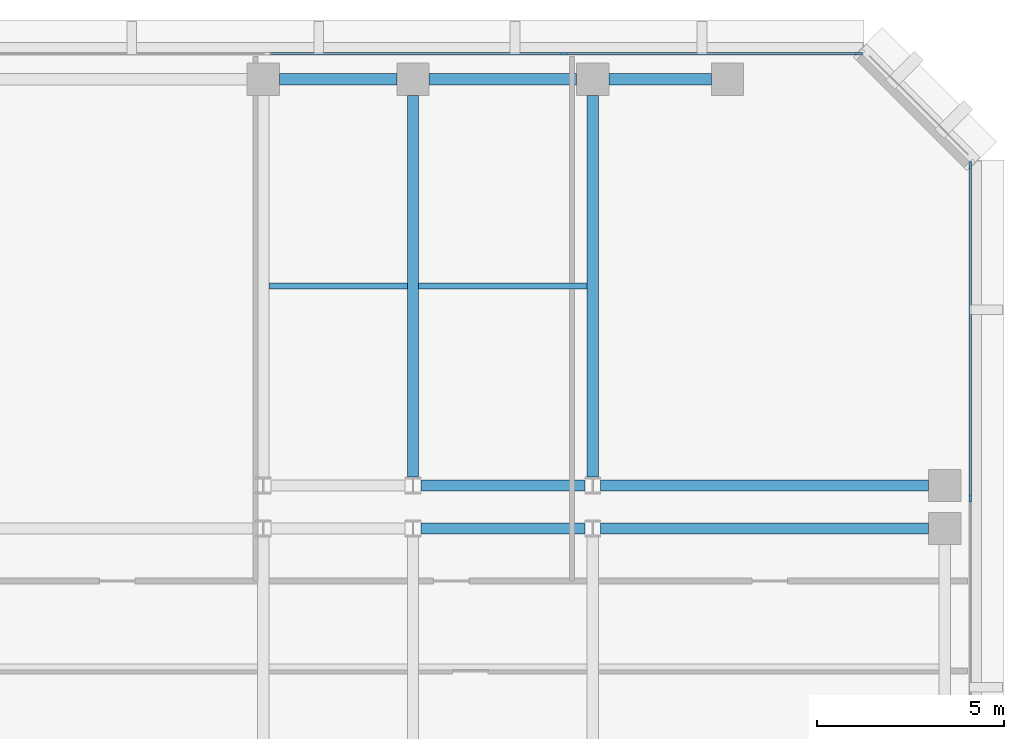
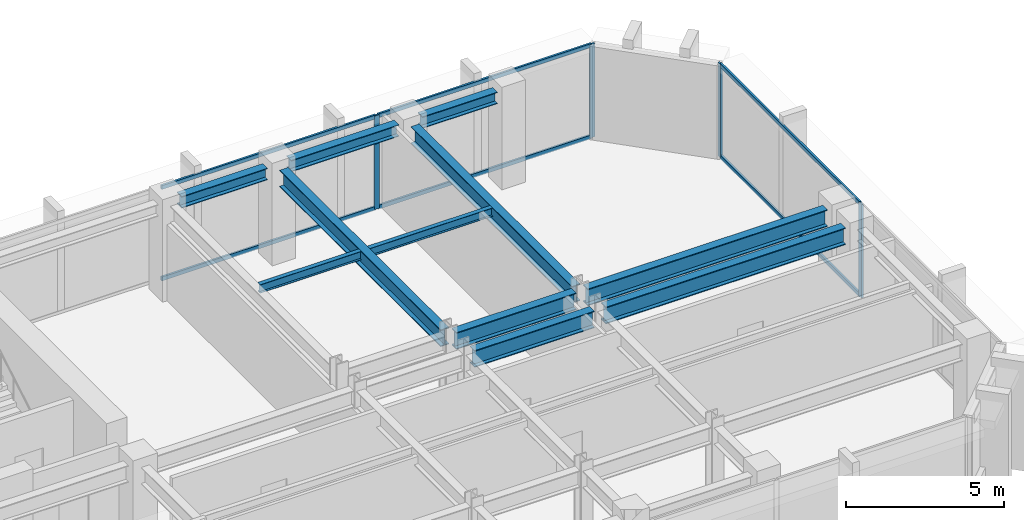
# One storey, part 5 of 11: 11 beams, 10 members, 2 elements without a shape of their own.
"""IFC4 building model written with IfcOpenShell, lengths in metres."""

from ifc_helpers import new_model, si_unit, direction, frame, origin, origin_2d, place, context, subcontext, project, spatial, rectangle, i_section, extrude, material, layer, layer_set, material_profile, profile_set, type_object, element, aggregate, save


model = new_model("IFC4")

# Units and contexts
model_context = context("Model", 3, precision=1e-05, world=origin(), true_north=direction((0.0, 1.0)))
body_context = subcontext(model_context, "Body", "Model", "MODEL_VIEW")
ifc_project = project(units=[si_unit("LENGTHUNIT", "METRE"), si_unit("AREAUNIT", "SQUARE_METRE"), si_unit("VOLUMEUNIT", "CUBIC_METRE"), si_unit("PLANEANGLEUNIT", "RADIAN"), si_unit("MASSUNIT", "GRAM", prefix="KILO")], contexts=[model_context])

# Site, building, storey
site_placement = place(None, origin())
site = spatial("IfcSite", under=ifc_project, at=site_placement, CompositionType="ELEMENT")
building_placement = place(site_placement, origin())
building = spatial("IfcBuilding", under=site, at=building_placement, Name="Kefirva Bronze Tower", CompositionType="ELEMENT")
storey_placement = place(building_placement, frame((0.0, 0.0, 170.610107421875)))
storey = spatial("IfcBuildingStorey", under=building, at=storey_placement, Name="L41", CompositionType="ELEMENT", Elevation=170.610107421875)

# Curtain wall, members
ifc_material_1 = material(Name="Bronze anodised aluminium", Category="aluminium")
ifc_layer = layer(ifc_material_1, 0.199951171875, Name="Bronze anodised aluminium")
ifc_layer_set = layer_set([ifc_layer], Name="Bronze anodised aluminium")
curtain_wall_type = type_object("IfcCurtainWallType", Name="Unitised Bronze Ribbon Curtain Wall Zone 2", PredefinedType="USERDEFINED", material=ifc_layer_set)
curtain_wall_1_placement = place(storey_placement, origin())
curtain_wall_1 = element("IfcCurtainWall", 1, at=curtain_wall_1_placement, inside=storey, type_object=curtain_wall_type, Name="L41 Curtain Wall 4", ObjectType="UNITISED CURTAIN WALL", PredefinedType="USERDEFINED")
ifc_material_profile_1 = material_profile(ifc_material_1, rectangle(XDim=0.074951171875, YDim=0.179931640625, at=origin_2d()), Name="ALU 75x180")
ifc_profile_set_1 = profile_set([ifc_material_profile_1], Name="Bronze anodised aluminium")
member_type_1 = type_object("IfcMemberType", Name="Bronze Mullion 75x180", PredefinedType="MULLION", material=ifc_profile_set_1)
member_1_placement = place(storey_placement, frame((50.080078125, 34.0, 0.0), z_axis=(0.0, 0.0, 1.0), x_axis=(-1.0, 0.0, 0.0)))
member_1 = element("IfcMember", 2, at=member_1_placement, type_object=member_type_1, Name="CW-02 mullion 2", PredefinedType="MULLION", context=body_context, shape_type="SweptSolid", body=[
    extrude(rectangle(XDim=0.074951171875, YDim=0.179931640625, at=origin_2d()), origin(), (0.0, 0.0, 1.0), 3.60986328125),
])
member_2_placement = place(storey_placement, frame((50.080078125, 42.907470703125, 0.0), z_axis=(0.0, 0.0, 1.0), x_axis=(-1.0, 0.0, 0.0)))
member_2 = element("IfcMember", 3, at=member_2_placement, type_object=member_type_1, Name="CW-02 mullion 3", PredefinedType="MULLION", context=body_context, shape_type="SweptSolid", body=[
    extrude(rectangle(XDim=0.074951171875, YDim=0.179931640625, at=origin_2d()), origin(), (0.0, 0.0, 1.0), 3.60986328125),
])

curtain_wall_2_placement = place(storey_placement, origin())
curtain_wall_2 = element("IfcCurtainWall", 4, at=curtain_wall_2_placement, inside=storey, type_object=curtain_wall_type, Name="L41 Curtain Wall 5", ObjectType="UNITISED CURTAIN WALL", PredefinedType="USERDEFINED")
member_3_placement = place(storey_placement, frame((47.107421875, 45.8798828125, 0.0), z_axis=(0.0, 0.0, 1.0), x_axis=(0.0, -1.0, 0.0)))
member_3 = element("IfcMember", 5, at=member_3_placement, type_object=member_type_1, Name="CW-02 mullion 1", PredefinedType="MULLION", context=body_context, shape_type="SweptSolid", body=[
    extrude(rectangle(XDim=0.074951171875, YDim=0.179931640625, at=origin_2d()), origin(), (0.0, 0.0, 1.0), 3.60986328125),
])
member_4_placement = place(storey_placement, frame((39.231689453125, 45.8798828125, 0.0), z_axis=(0.0, 0.0, 1.0), x_axis=(0.0, -1.0, 0.0)))
member_4 = element("IfcMember", 6, at=member_4_placement, type_object=member_type_1, Name="CW-02 mullion 2", PredefinedType="MULLION", context=body_context, shape_type="SweptSolid", body=[
    extrude(rectangle(XDim=0.074951171875, YDim=0.179931640625, at=origin_2d()), origin(), (0.0, 0.0, 1.0), 3.60986328125),
])

# Member
ifc_material_profile_2 = material_profile(ifc_material_1, rectangle(XDim=0.074951171875, YDim=0.14990234375, at=origin_2d()), Name="ALU 75x150")
ifc_profile_set_2 = profile_set([ifc_material_profile_2], Name="Bronze anodised aluminium")
member_type_2 = type_object("IfcMemberType", Name="Bronze Transom 75x150", PredefinedType="USERDEFINED", material=ifc_profile_set_2)
member_5_placement = place(storey_placement, frame((50.080078125, 34.03759765625, 0.037353515625), z_axis=(0.0, 1.0, 0.0), x_axis=(-1.0, 0.0, 0.0)))
member_5 = element("IfcMember", 7, at=member_5_placement, type_object=member_type_2, Name="CW-02 transom 2.1", ObjectType="TRANSOM", PredefinedType="USERDEFINED", context=body_context, shape_type="SweptSolid", body=[
    extrude(rectangle(XDim=0.074951171875, YDim=0.14990234375, at=origin_2d()), origin(), (0.0, 0.0, 1.0), 8.83251953125),
])

member_6_placement = place(storey_placement, frame((50.080078125, 34.03759765625, 3.572509765625), z_axis=(0.0, 1.0, 0.0), x_axis=(-1.0, 0.0, 0.0)))
member_6 = element("IfcMember", 8, at=member_6_placement, type_object=member_type_2, Name="CW-02 transom 2.2", ObjectType="TRANSOM", PredefinedType="USERDEFINED", context=body_context, shape_type="SweptSolid", body=[
    extrude(rectangle(XDim=0.074951171875, YDim=0.14990234375, at=origin_2d()), origin(), (0.0, 0.0, 1.0), 8.83251953125),
])

aggregate(curtain_wall_1, [member_1, member_2, member_5, member_6])

member_7_placement = place(storey_placement, frame((47.070068359375, 45.8798828125, 0.037353515625), z_axis=(-1.0, 0.0, 0.0), x_axis=(0.0, -1.0, 0.0)))
member_7 = element("IfcMember", 9, at=member_7_placement, type_object=member_type_2, Name="CW-02 transom 1.1", ObjectType="TRANSOM", PredefinedType="USERDEFINED", context=body_context, shape_type="SweptSolid", body=[
    extrude(rectangle(XDim=0.074951171875, YDim=0.14990234375, at=origin_2d()), origin(), (0.0, 0.0, 1.0), 7.80078125),
])

member_8_placement = place(storey_placement, frame((47.070068359375, 45.8798828125, 3.572509765625), z_axis=(-1.0, 0.0, 0.0), x_axis=(0.0, -1.0, 0.0)))
member_8 = element("IfcMember", 10, at=member_8_placement, type_object=member_type_2, Name="CW-02 transom 1.2", ObjectType="TRANSOM", PredefinedType="USERDEFINED", context=body_context, shape_type="SweptSolid", body=[
    extrude(rectangle(XDim=0.074951171875, YDim=0.14990234375, at=origin_2d()), origin(), (0.0, 0.0, 1.0), 7.80078125),
])

member_9_placement = place(storey_placement, frame((39.194091796875, 45.8798828125, 0.037353515625), z_axis=(-1.0, 0.0, 0.0), x_axis=(0.0, -1.0, 0.0)))
member_9 = element("IfcMember", 11, at=member_9_placement, type_object=member_type_2, Name="CW-02 transom 2.1", ObjectType="TRANSOM", PredefinedType="USERDEFINED", context=body_context, shape_type="SweptSolid", body=[
    extrude(rectangle(XDim=0.074951171875, YDim=0.14990234375, at=origin_2d()), origin(), (0.0, 0.0, 1.0), 7.83837890625),
])

member_10_placement = place(storey_placement, frame((39.194091796875, 45.8798828125, 3.572509765625), z_axis=(-1.0, 0.0, 0.0), x_axis=(0.0, -1.0, 0.0)))
member_10 = element("IfcMember", 12, at=member_10_placement, type_object=member_type_2, Name="CW-02 transom 2.2", ObjectType="TRANSOM", PredefinedType="USERDEFINED", context=body_context, shape_type="SweptSolid", body=[
    extrude(rectangle(XDim=0.074951171875, YDim=0.14990234375, at=origin_2d()), origin(), (0.0, 0.0, 1.0), 7.83837890625),
])

aggregate(curtain_wall_2, [member_3, member_4, member_7, member_8, member_9, member_10])

# Beams
ifc_material_2 = material(Name="Steel S355", Category="steel")
ifc_material_profile_3 = material_profile(ifc_material_2, i_section(OverallWidth=0.159912109375, OverallDepth=0.330078125, WebThickness=0.007568359375, FlangeThickness=0.011474609375, at=origin_2d()), Name="IPE 330")
ifc_profile_set_3 = profile_set([ifc_material_profile_3], Name="Steel S355")
beam_type_1 = type_object("IfcBeamType", Name="Steel Floor Joist IPE 330", PredefinedType="JOIST", material=ifc_profile_set_3)
beam_1_placement = place(storey_placement, frame((31.35009765625, 39.673583984375, 3.44482421875), z_axis=(1.0, 0.0, 0.0), x_axis=(0.0, 1.0, 0.0)))
element("IfcBeam", 13, at=beam_1_placement, inside=storey, type_object=beam_type_1, Name="L41 JST-L41-31-396", PredefinedType="JOIST", context=body_context, shape_type="SweptSolid", body=[
    extrude(i_section(OverallWidth=0.159912109375, OverallDepth=0.330078125, WebThickness=0.007568359375, FlangeThickness=0.011474609375, at=origin_2d()), origin(), (0.0, 0.0, 1.0), 3.699951171875),
])
beam_2_placement = place(storey_placement, frame((35.35009765625, 39.673583984375, 3.44482421875), z_axis=(1.0, 0.0, 0.0), x_axis=(0.0, 1.0, 0.0)))
element("IfcBeam", 14, at=beam_2_placement, inside=storey, type_object=beam_type_1, Name="L41 JST-L41-35-396", PredefinedType="JOIST", context=body_context, shape_type="SweptSolid", body=[
    extrude(i_section(OverallWidth=0.159912109375, OverallDepth=0.330078125, WebThickness=0.007568359375, FlangeThickness=0.011474609375, at=origin_2d()), origin(), (0.0, 0.0, 1.0), 4.5),
])
ifc_material_profile_4 = material_profile(ifc_material_2, i_section(OverallWidth=0.300048828125, OverallDepth=0.64990234375, WebThickness=0.01611328125, FlangeThickness=0.031005859375, at=origin_2d()), Name="HEB 650")
ifc_profile_set_4 = profile_set([ifc_material_profile_4], Name="Steel S355")
beam_type_2 = type_object("IfcBeamType", Name="Steel Girder HEB 650", PredefinedType="USERDEFINED", material=ifc_profile_set_4)
beam_3_placement = place(storey_placement, frame((35.408935546875, 33.199951171875, 3.284912109375), z_axis=(1.0, 0.0, 0.0), x_axis=(0.0, 1.0, 0.0)))
element("IfcBeam", 15, at=beam_3_placement, inside=storey, type_object=beam_type_2, Name="L41 BM-L41-EW-35-332", ObjectType="GIRDER", PredefinedType="USERDEFINED", context=body_context, shape_type="SweptSolid", body=[
    extrude(i_section(OverallWidth=0.300048828125, OverallDepth=0.64990234375, WebThickness=0.01611328125, FlangeThickness=0.031005859375, at=origin_2d()), origin(), (0.0, 0.0, 1.0), 4.382080078125),
])
beam_4_placement = place(storey_placement, frame((40.208984375, 33.199951171875, 3.284912109375), z_axis=(1.0, 0.0, 0.0), x_axis=(0.0, 1.0, 0.0)))
element("IfcBeam", 16, at=beam_4_placement, inside=storey, type_object=beam_type_2, Name="L41 BM-L41-EW-40-332", ObjectType="GIRDER", PredefinedType="USERDEFINED", context=body_context, shape_type="SweptSolid", body=[
    extrude(i_section(OverallWidth=0.300048828125, OverallDepth=0.64990234375, WebThickness=0.01611328125, FlangeThickness=0.031005859375, at=origin_2d()), origin(), (0.0, 0.0, 1.0), 8.760986328125),
])
beam_5_placement = place(storey_placement, frame((35.408935546875, 34.35009765625, 3.284912109375), z_axis=(1.0, 0.0, 0.0), x_axis=(0.0, 1.0, 0.0)))
element("IfcBeam", 17, at=beam_5_placement, inside=storey, type_object=beam_type_2, Name="L41 BM-L41-EW-35-344", ObjectType="GIRDER", PredefinedType="USERDEFINED", context=body_context, shape_type="SweptSolid", body=[
    extrude(i_section(OverallWidth=0.300048828125, OverallDepth=0.64990234375, WebThickness=0.01611328125, FlangeThickness=0.031005859375, at=origin_2d()), origin(), (0.0, 0.0, 1.0), 4.382080078125),
])
beam_6_placement = place(storey_placement, frame((40.208984375, 34.35009765625, 3.284912109375), z_axis=(1.0, 0.0, 0.0), x_axis=(0.0, 1.0, 0.0)))
element("IfcBeam", 18, at=beam_6_placement, inside=storey, type_object=beam_type_2, Name="L41 BM-L41-EW-40-344", ObjectType="GIRDER", PredefinedType="USERDEFINED", context=body_context, shape_type="SweptSolid", body=[
    extrude(i_section(OverallWidth=0.300048828125, OverallDepth=0.64990234375, WebThickness=0.01611328125, FlangeThickness=0.031005859375, at=origin_2d()), origin(), (0.0, 0.0, 1.0), 8.760986328125),
])
for number, where, z_axis, x_axis, name in (
    (19, (35.199951171875, 34.577392578125, 3.284912109375), (0.0, 1.0, 0.0), (-1.0, 0.0, 0.0), "L41 BM-L41-NS-352-34"),
    (20, (40.0, 34.577392578125, 3.284912109375), (0.0, 1.0, 0.0), (-1.0, 0.0, 0.0), "L41 BM-L41-NS-400-34"),
):
    element("IfcBeam", number, at=place(storey_placement, frame(where, z_axis=z_axis, x_axis=x_axis)), inside=storey, type_object=beam_type_2, Name=name, ObjectType="GIRDER", PredefinedType="USERDEFINED", context=body_context, shape_type="SweptSolid", body=[
        extrude(i_section(OverallWidth=0.300048828125, OverallDepth=0.64990234375, WebThickness=0.01611328125, FlangeThickness=0.031005859375, at=origin_2d()), origin(), (0.0, 0.0, 1.0), 10.192626953125),
    ])
ifc_material_profile_5 = material_profile(ifc_material_2, i_section(OverallWidth=0.300048828125, OverallDepth=0.449951171875, WebThickness=0.013916015625, FlangeThickness=0.02587890625, at=origin_2d()), Name="HEB 450")
ifc_profile_set_5 = profile_set([ifc_material_profile_5], Name="Steel S355")
beam_type_3 = type_object("IfcBeamType", Name="Steel Spandrel HEB 450 Ext", PredefinedType="SPANDREL", material=ifc_profile_set_5)
beam_7_placement = place(storey_placement, frame((31.6298828125, 45.199951171875, 3.385009765625), z_axis=(1.0, 0.0, 0.0), x_axis=(0.0, 1.0, 0.0)))
element("IfcBeam", 21, at=beam_7_placement, inside=storey, type_object=beam_type_3, Name="L41 BM-L41-EW-31-452", PredefinedType="SPANDREL", context=body_context, shape_type="SweptSolid", body=[
    extrude(i_section(OverallWidth=0.300048828125, OverallDepth=0.449951171875, WebThickness=0.013916015625, FlangeThickness=0.02587890625, at=origin_2d()), origin(), (0.0, 0.0, 1.0), 3.14013671875),
])
beam_8_placement = place(storey_placement, frame((35.6298828125, 45.199951171875, 3.385009765625), z_axis=(1.0, 0.0, 0.0), x_axis=(0.0, 1.0, 0.0)))
element("IfcBeam", 22, at=beam_8_placement, inside=storey, type_object=beam_type_3, Name="L41 BM-L41-EW-35-452", PredefinedType="SPANDREL", context=body_context, shape_type="SweptSolid", body=[
    extrude(i_section(OverallWidth=0.300048828125, OverallDepth=0.449951171875, WebThickness=0.013916015625, FlangeThickness=0.02587890625, at=origin_2d()), origin(), (0.0, 0.0, 1.0), 3.940185546875),
])
beam_9_placement = place(storey_placement, frame((40.429931640625, 45.199951171875, 3.385009765625), z_axis=(1.0, 0.0, 0.0), x_axis=(0.0, 1.0, 0.0)))
element("IfcBeam", 23, at=beam_9_placement, inside=storey, type_object=beam_type_3, Name="L41 BM-L41-EW-40-452", PredefinedType="SPANDREL", context=body_context, shape_type="SweptSolid", body=[
    extrude(i_section(OverallWidth=0.300048828125, OverallDepth=0.449951171875, WebThickness=0.013916015625, FlangeThickness=0.02587890625, at=origin_2d()), origin(), (0.0, 0.0, 1.0), 2.739990234375),
])

save(model, "model.ifc")
